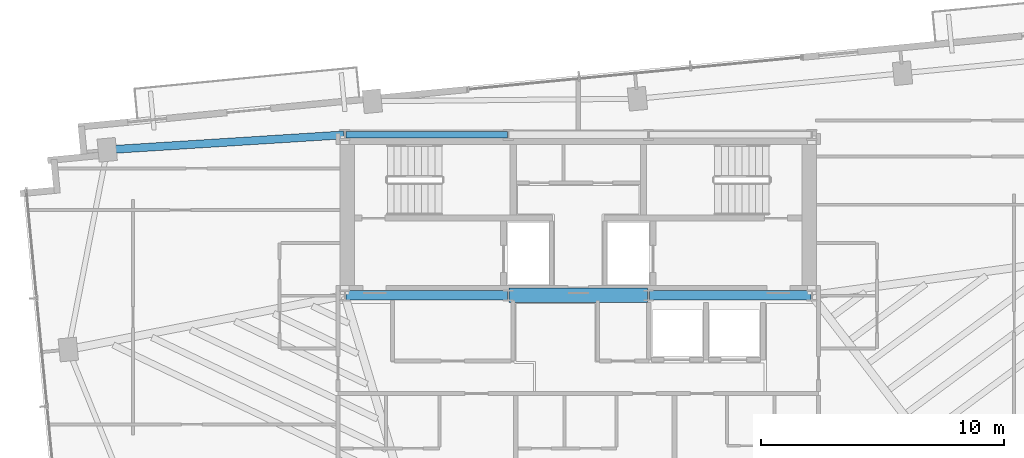
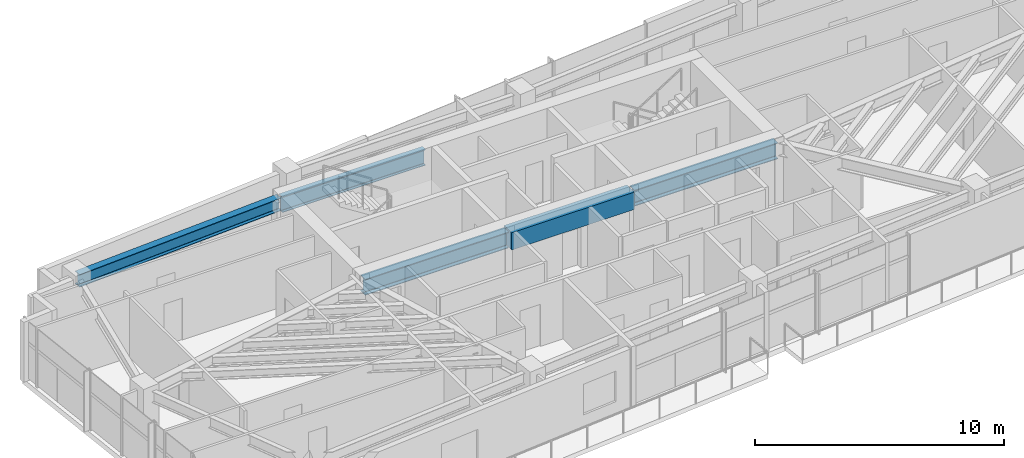
# One storey, part 5 of 18: 5 beams.
"""IFC4 building model written with IfcOpenShell, lengths in metres."""

import ifcopenshell
import ifcopenshell.guid

model = None  # the IFC model being written
_history = None  # IfcOwnerHistory: only IFC2X3 demands one
_inside = {}  # id of a spatial element -> (the spatial element, [elements in it])
_under = {}  # id of a project, library or spatial element -> (it, [spatial elements below it])
_declared = {}  # id of a project -> (the project, [libraries it declares])
_typed = {}  # id of a type object -> (the type object, [elements of that type])
_made_of = {}  # id of a material, layer set ... -> (it, [elements and type objects made of it])


def new_model(schema):
    """Start an empty IFC model of exactly this schema.

    Asked for "IFC4X3", IfcOpenShell would pick the latest addendum, in which some entities
    have other attributes; the version numbers below select the first issue.
    IFC2X3 requires an IfcOwnerHistory on every rooted entity: one is made here for all.
    """
    global model, _history
    if schema == "IFC4X3":
        model = ifcopenshell.file(schema_version=(4, 3, 0, 0))
    else:
        model = ifcopenshell.file(schema=schema)
    _inside.clear()
    _under.clear()
    _declared.clear()
    _typed.clear()
    _made_of.clear()
    _history = None
    if model.schema == "IFC2X3":
        org = make("IfcOrganization", Name="unknown")
        user = make(
            "IfcPersonAndOrganization",
            ThePerson=make("IfcPerson", FamilyName="unknown"),
            TheOrganization=org,
        )
        app = make(
            "IfcApplication",
            ApplicationDeveloper=org,
            Version="unknown",
            ApplicationFullName="unknown",
            ApplicationIdentifier="unknown",
        )
        _history = make(
            "IfcOwnerHistory",
            OwningUser=user,
            OwningApplication=app,
            ChangeAction="ADDED",
            CreationDate=0,
        )
    return model


def make(cls, **values):
    """One entity of the class cls with the attributes given. An attribute that is None is left unset."""
    return model.create_entity(
        cls, **{name: value for name, value in values.items() if value is not None}
    )


def rooted(cls, **values):
    """An entity with a GlobalId (a new one), such as an element, a storey or a relation."""
    return make(cls, GlobalId=ifcopenshell.guid.new(), OwnerHistory=_history, **values)


def si_unit(unit_type, name, prefix=None):
    """IfcSIUnit, for example si_unit("LENGTHUNIT", "METRE", prefix="MILLI")."""
    return make("IfcSIUnit", UnitType=unit_type, Prefix=prefix, Name=name)


def assignment(units):
    """IfcUnitAssignment: the units of a project."""
    return None if units is None else make("IfcUnitAssignment", Units=units)


def point(xyz):
    """IfcCartesianPoint."""
    return None if xyz is None else make("IfcCartesianPoint", Coordinates=xyz)


def direction(xyz):
    """IfcDirection."""
    return None if xyz is None else make("IfcDirection", DirectionRatios=xyz)


def frame(location, z_axis=None, x_axis=None):
    """IfcAxis2Placement3D, a coordinate frame: its origin and axes. An axis left out is left unset."""
    return make(
        "IfcAxis2Placement3D",
        Location=point(location),
        Axis=direction(z_axis),
        RefDirection=direction(x_axis),
    )


def frame_2d(location, x_axis=None):
    """IfcAxis2Placement2D, a coordinate frame in the plane: its origin and x axis."""
    return make(
        "IfcAxis2Placement2D", Location=point(location), RefDirection=direction(x_axis)
    )


def origin():
    """The frame at (0, 0, 0) with its axes left unset."""
    return frame((0.0, 0.0, 0.0))


def origin_2d():
    """The frame at (0, 0) in the plane with its x axis left unset."""
    return frame_2d((0.0, 0.0))


def place(relative_to, where):
    """IfcLocalPlacement: puts the frame where relative to a parent placement (None: the world)."""
    return make(
        "IfcLocalPlacement", PlacementRelTo=relative_to, RelativePlacement=where
    )


def context(
    kind, dimensions, precision=None, world=None, true_north=None, identifier=None
):
    """IfcGeometricRepresentationContext, for example the 3D "Model" context."""
    return make(
        "IfcGeometricRepresentationContext",
        ContextIdentifier=identifier,
        ContextType=kind,
        CoordinateSpaceDimension=dimensions,
        Precision=precision,
        WorldCoordinateSystem=world,
        TrueNorth=true_north,
    )


def subcontext(parent, identifier, kind, view, scale=None):
    """IfcGeometricRepresentationSubContext, for example "Body" below "Model"."""
    return make(
        "IfcGeometricRepresentationSubContext",
        ContextIdentifier=identifier,
        ContextType=kind,
        ParentContext=parent,
        TargetScale=scale,
        TargetView=view,
    )


def project(units=None, contexts=None):
    """IfcProject with its units and contexts."""
    return rooted(
        "IfcProject",
        Name="project",
        RepresentationContexts=contexts,
        UnitsInContext=assignment(units),
    )


def spatial(cls, under=None, at=None, **own):
    """A site, building, storey or space (cls), placed at a placement, below another one or the project."""
    s = rooted(cls, ObjectPlacement=at, **own)
    if under is not None:
        _under.setdefault(under.id(), (under, []))[1].append(s)
    return s


def profile(cls, at=None, kind="AREA", **sizes):
    """A parametric profile (cls). Its sizes go by their IFC names, for example OverallWidth=200.0."""
    return make(cls, ProfileType=kind, Position=at, **sizes)


def rectangle(**sizes):
    """IfcRectangleProfileDef."""
    return profile("IfcRectangleProfileDef", **sizes)


def i_section(**sizes):
    """IfcIShapeProfileDef."""
    return profile("IfcIShapeProfileDef", **sizes)


def extrude(swept, where, along, depth):
    """IfcExtrudedAreaSolid: the profile swept, set in the frame where, extruded along a direction by depth."""
    return make(
        "IfcExtrudedAreaSolid",
        SweptArea=swept,
        Position=where,
        ExtrudedDirection=direction(along),
        Depth=depth,
    )


def shape(context_of_items, identifier, shape_type, items):
    """IfcShapeRepresentation: the items that make up one representation, for example the "Body"."""
    return make(
        "IfcShapeRepresentation",
        ContextOfItems=context_of_items,
        RepresentationIdentifier=identifier,
        RepresentationType=shape_type,
        Items=items,
    )


def source(mapping_origin, context_of_items, identifier, shape_type, items):
    """IfcRepresentationMap: a shape defined once, which mapped items show again and again."""
    return make(
        "IfcRepresentationMap",
        MappingOrigin=mapping_origin,
        MappedRepresentation=shape(context_of_items, identifier, shape_type, items),
    )


def transform(
    local_origin,
    x_axis=None,
    y_axis=None,
    z_axis=None,
    scale=None,
    scale2=None,
    scale3=None,
    uniform=True,
):
    """IfcCartesianTransformationOperator3D, or its non-uniform kind. x_axis, y_axis, z_axis: its Axis1, 2, 3."""
    if uniform:
        return make(
            "IfcCartesianTransformationOperator3D",
            Axis1=direction(x_axis),
            Axis2=direction(y_axis),
            LocalOrigin=point(local_origin),
            Scale=scale,
            Axis3=direction(z_axis),
        )
    return make(
        "IfcCartesianTransformationOperator3DnonUniform",
        Axis1=direction(x_axis),
        Axis2=direction(y_axis),
        LocalOrigin=point(local_origin),
        Scale=scale,
        Axis3=direction(z_axis),
        Scale2=scale2,
        Scale3=scale3,
    )


def mapped(mapping_source, mapping_target):
    """IfcMappedItem: shows the shape of a source again, moved by a transform."""
    return make(
        "IfcMappedItem", MappingSource=mapping_source, MappingTarget=mapping_target
    )


def material(Name=None, Category=None):
    """IfcMaterial."""
    return make("IfcMaterial", Name=Name, Category=Category)


def material_profile(
    of_material, cross_section, Name=None, Category=None, Priority=None
):
    """IfcMaterialProfile: a cross section and its material."""
    return make(
        "IfcMaterialProfile",
        Name=Name,
        Material=of_material,
        Profile=cross_section,
        Priority=Priority,
        Category=Category,
    )


def profile_set(profiles, Name=None, composite=None):
    """IfcMaterialProfileSet."""
    return make(
        "IfcMaterialProfileSet",
        Name=Name,
        MaterialProfiles=profiles,
        CompositeProfile=composite,
    )


def made_of(thing, what):
    """Note that an element or type object is made of a material, layer set ...; save() writes the relation."""
    if what is not None:
        _made_of.setdefault(what.id(), (what, []))[1].append(thing)
    return thing


def type_object(cls, material=None, **own):
    """A type object (cls), such as IfcWallType, which elements share."""
    return made_of(rooted(cls, **own), material)


def type_shapes(of_type, sources):
    """Give a type object the sources (RepresentationMaps) that its elements show as mapped items."""
    of_type.RepresentationMaps = sources


def element(
    cls,
    number,
    at=None,
    inside=None,
    cuts=None,
    type_object=None,
    material=None,
    context=None,
    identifier="Body",
    shape_type=None,
    held_by="IfcProductDefinitionShape",
    body=None,
    shapes=None,
    **own,
):
    """One element of the class cls, such as IfcWall. Its Tag is "e" and its number.

    at: its placement. inside: the storey or other place that contains it. cuts: it is an
    opening in that element (IfcRelVoidsElement). A single representation is given by context,
    identifier, shape_type and body (its items); several are given by shapes. held_by: the class
    of the entity that holds the representations. save() writes the other relations.
    """
    e = rooted(cls, Tag="e%d" % number, ObjectPlacement=at, **own)
    if body is not None:
        shapes = [shape(context, identifier, shape_type, body)]
    if shapes is not None:
        e.Representation = make(held_by, Representations=shapes)
    if inside is not None:
        _inside.setdefault(inside.id(), (inside, []))[1].append(e)
    if cuts is not None:
        rooted(
            "IfcRelVoidsElement", RelatingBuildingElement=cuts, RelatedOpeningElement=e
        )
    if type_object is not None:
        _typed.setdefault(type_object.id(), (type_object, []))[1].append(e)
    return made_of(e, material)


def aggregate(whole, parts):
    """IfcRelAggregates: a whole, such as a stair, and the parts it consists of."""
    return rooted("IfcRelAggregates", RelatingObject=whole, RelatedObjects=parts)


def save(model, path):
    """Write the relations noted so far, then the file.

    IfcRelAggregates (storeys below a building ...), IfcRelContainedInSpatialStructure (elements
    in a storey), IfcRelDefinesByType, IfcRelAssociatesMaterial and IfcRelDeclares: one each for
    every whole, place, type object, material and project.
    """
    for whole, parts in _under.values():
        aggregate(whole, parts)
    for where, things in _inside.values():
        rooted(
            "IfcRelContainedInSpatialStructure",
            RelatedElements=things,
            RelatingStructure=where,
        )
    for kind, things in _typed.values():
        rooted("IfcRelDefinesByType", RelatedObjects=things, RelatingType=kind)
    for what, things in _made_of.values():
        rooted("IfcRelAssociatesMaterial", RelatedObjects=things, RelatingMaterial=what)
    for by, libraries in _declared.values():
        rooted("IfcRelDeclares", RelatingContext=by, RelatedDefinitions=libraries)
    model.write(path)


model = new_model("IFC4")

# Units and contexts
model_context = context("Model", 3, precision=1e-05, world=origin(), true_north=direction((0.0, 1.0)))
body_context = subcontext(model_context, "Body", "Model", "MODEL_VIEW")
ifc_project = project(units=[si_unit("LENGTHUNIT", "METRE"), si_unit("AREAUNIT", "SQUARE_METRE"), si_unit("VOLUMEUNIT", "CUBIC_METRE"), si_unit("PLANEANGLEUNIT", "RADIAN"), si_unit("MASSUNIT", "GRAM", prefix="KILO")], contexts=[model_context])

# Site, building, storey
site_placement = place(None, origin())
site = spatial("IfcSite", under=ifc_project, at=site_placement, CompositionType="ELEMENT")
building_placement = place(site_placement, origin())
building = spatial("IfcBuilding", under=site, at=building_placement, Name="Astriad Promenade Condominiums", CompositionType="ELEMENT")
storey_placement = place(building_placement, frame((0.0, 0.0, 195.39990234375)))
storey = spatial("IfcBuildingStorey", under=building, at=storey_placement, Name="L56", CompositionType="ELEMENT", Elevation=195.39990234375)

# Beams
ifc_material_1 = material(Name="Steel ASTM A992 Grade 50", Category="steel")
ifc_material_profile_1 = material_profile(ifc_material_1, i_section(OverallWidth=0.3837890625, OverallDepth=0.785888671875, WebThickness=0.019775390625, FlangeThickness=0.033447265625, FilletRadius=0.021484375, at=origin_2d()), Name="W30X211")
ifc_profile_set_1 = profile_set([ifc_material_profile_1], Name="Steel ASTM A992 Grade 50")
beam_type_1 = type_object("IfcBeamType", Name="STEEL FLOOR GIRDER W30X211", PredefinedType="BEAM", material=ifc_profile_set_1)
shared_shape_1 = source(origin(), body_context, "Body", "SweptSolid", [
    extrude(i_section(OverallWidth=0.3837890625, OverallDepth=0.785888671875, WebThickness=0.019775390625, FlangeThickness=0.033447265625, FilletRadius=0.021484375, at=origin_2d()), origin(), (0.0, 0.0, 1.0), 6.64013671875),
])
type_shapes(beam_type_1, [shared_shape_1])
for number, where, z_axis, x_axis, name in (
    (1, (26.43994140625, 17.39990234375, 2.547119140625), (1.0, 0.0, 0.0), (0.0, 1.0, 0.0), "Core Ring Beam CG-S1-L56"),
    (2, (38.919921875, 17.39990234375, 2.547119140625), (1.0, 0.0, 0.0), (0.0, 1.0, 0.0), "Core Ring Beam CG-S3-L56"),
):
    element("IfcBeam", number, at=place(storey_placement, frame(where, z_axis=z_axis, x_axis=x_axis)), inside=storey, type_object=beam_type_1, Name=name, PredefinedType="BEAM", context=body_context, shape_type="MappedRepresentation", body=[
        mapped(shared_shape_1, transform((0.0, 0.0, 0.0), scale=1.0)),
    ])
ifc_material_profile_2 = material_profile(ifc_material_1, i_section(OverallWidth=0.267822265625, OverallDepth=0.76953125, WebThickness=0.015625, FlangeThickness=0.025390625, FilletRadius=0.021484375, at=origin_2d()), Name="W30X132")
ifc_profile_set_2 = profile_set([ifc_material_profile_2], Name="Steel ASTM A992 Grade 50")
beam_type_2 = type_object("IfcBeamType", Name="STEEL FLOOR GIRDER W30X132", PredefinedType="BEAM", material=ifc_profile_set_2)
shared_shape_2 = source(origin(), body_context, "Body", "SweptSolid", [
    extrude(i_section(OverallWidth=0.267822265625, OverallDepth=0.76953125, WebThickness=0.015625, FlangeThickness=0.025390625, FilletRadius=0.021484375, at=origin_2d()), origin(), (0.0, 0.0, 1.0), 6.64013671875),
])
type_shapes(beam_type_2, [shared_shape_2])
beam_1_placement = place(storey_placement, frame((26.43994140625, 24.0, 2.55517578125), z_axis=(1.0, 0.0, 0.0), x_axis=(0.0, 1.0, 0.0)))
element("IfcBeam", 3, at=beam_1_placement, inside=storey, type_object=beam_type_2, Name="Core Ring Beam CG-N1-L56", PredefinedType="BEAM", context=body_context, shape_type="MappedRepresentation", body=[
    mapped(shared_shape_2, transform((0.0, 0.0, 0.0), scale=1.0)),
])
ifc_material_2 = material(Name="Concrete C60/75", Category="concrete")
ifc_material_profile_3 = material_profile(ifc_material_2, rectangle(XDim=0.60009765625, YDim=0.85009765625, at=origin_2d()), Name="RC-BM-600X850")
ifc_profile_set_3 = profile_set([ifc_material_profile_3], Name="Concrete C60/75")
beam_type_3 = type_object("IfcBeamType", Name="CONCRETE CORE COUPLING LINTEL 600X850", PredefinedType="LINTEL", material=ifc_profile_set_3)
shared_shape_3 = source(origin(), body_context, "Body", "SweptSolid", [
    extrude(rectangle(XDim=0.60009765625, YDim=0.85009765625, at=origin_2d()), origin(), (0.0, 0.0, 1.0), 5.68017578125),
])
type_shapes(beam_type_3, [shared_shape_3])
beam_2_placement = place(storey_placement, frame((33.159912109375, 17.39990234375, 2.51513671875), z_axis=(1.0, 0.0, 0.0), x_axis=(0.0, 1.0, 0.0)))
element("IfcBeam", 4, at=beam_2_placement, inside=storey, type_object=beam_type_3, Name="Core Ring Beam CG-S2-L56", PredefinedType="LINTEL", context=body_context, shape_type="MappedRepresentation", body=[
    mapped(shared_shape_3, transform((0.0, 0.0, 0.0), scale=1.0)),
])
ifc_material_profile_4 = material_profile(ifc_material_1, i_section(OverallWidth=0.326416015625, OverallDepth=0.621826171875, WebThickness=0.015380859375, FlangeThickness=0.0244140625, FilletRadius=0.017822265625, at=origin_2d()), Name="W24X131")
ifc_profile_set_4 = profile_set([ifc_material_profile_4], Name="Steel ASTM A992 Grade 50")
beam_type_4 = type_object("IfcBeamType", Name="STEEL FLOOR GIRDER W24X131", PredefinedType="BEAM", material=ifc_profile_set_4)
shared_shape_4 = source(origin(), body_context, "Body", "SweptSolid", [
    extrude(i_section(OverallWidth=0.326416015625, OverallDepth=0.621826171875, WebThickness=0.015380859375, FlangeThickness=0.0244140625, FilletRadius=0.017822265625, at=origin_2d()), origin(), (0.0, 0.0, 1.0), 9.707275390625),
])
type_shapes(beam_type_4, [shared_shape_4])
beam_3_placement = place(storey_placement, frame((16.672119140625, 23.38671875, 2.629150390625), z_axis=(0.998018176507, 0.062926301034, 0.0), x_axis=(-0.062926301034, 0.998018176507, 0.0)))
element("IfcBeam", 5, at=beam_3_placement, inside=storey, type_object=beam_type_4, Name="Primary Floor Girder PG-NW-L56", PredefinedType="BEAM", context=body_context, shape_type="MappedRepresentation", body=[
    mapped(shared_shape_4, transform((0.0, 0.0, 0.0), scale=1.0)),
])

save(model, "model.ifc")
